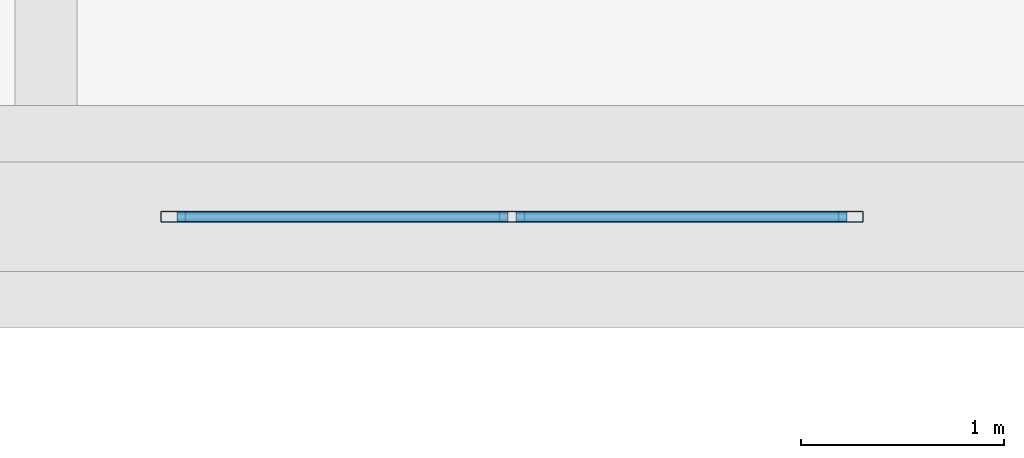
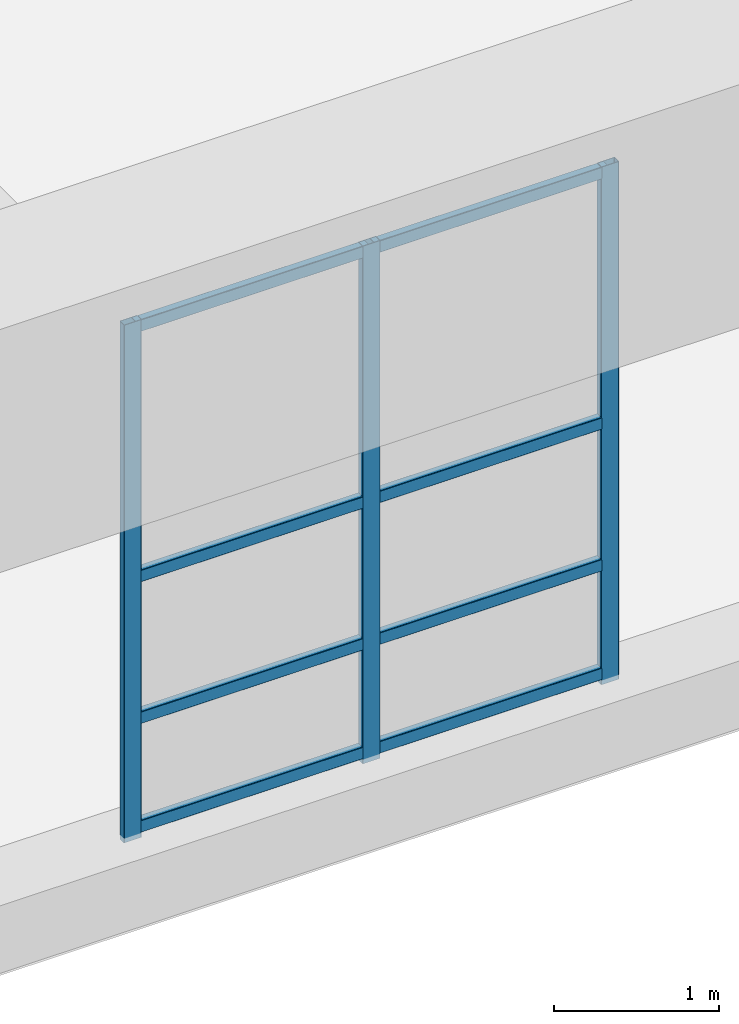
# One storey, part 32 of 197: 11 members, 1 element without a shape of its own.
"""IFC4 building model written with IfcOpenShell, lengths in metres."""

from ifc_helpers import new_model, si_unit, derived_unit, direction, frame, origin, origin_2d, place, context, subcontext, project, spatial, hollow_rectangle, extrude, material, layer, layer_set, material_profile, profile_set, type_object, element, aggregate, save


model = new_model("IFC4")

# Units and contexts
model_context = context("Model", 3, precision=1e-05, world=origin(), true_north=direction((0.0, 1.0)))
body_context = subcontext(model_context, "Body", "Model", "MODEL_VIEW")
ifc_project = project(units=[si_unit("LENGTHUNIT", "METRE"), si_unit("AREAUNIT", "SQUARE_METRE"), si_unit("VOLUMEUNIT", "CUBIC_METRE"), si_unit("PLANEANGLEUNIT", "RADIAN"), si_unit("MASSUNIT", "GRAM", prefix="KILO"), derived_unit("THERMALTRANSMITTANCEUNIT", [(si_unit("POWERUNIT", "WATT"), 1), (si_unit("LENGTHUNIT", "METRE"), -2), (si_unit("THERMODYNAMICTEMPERATUREUNIT", "KELVIN"), -1)])], contexts=[model_context])

# Site, building, storey
site_placement = place(None, origin())
site = spatial("IfcSite", under=ifc_project, at=site_placement, CompositionType="ELEMENT")
building_placement = place(site_placement, origin())
building = spatial("IfcBuilding", under=site, at=building_placement, Name="Almenara Railside Exhibition Hall", CompositionType="ELEMENT")
storey_placement = place(building_placement, frame((0.0, 0.0, 5.39990234375)))
storey = spatial("IfcBuildingStorey", under=building, at=storey_placement, Name="L01", CompositionType="ELEMENT", Elevation=5.39990234375)

# Curtain wall, members
ifc_material_1 = material(Name="Bronze-anodised aluminium and low-E double glazing", Category="aluminium")
ifc_layer = layer(ifc_material_1, 0.179931640625, Name="Bronze-anodised aluminium and low-E double glazing")
ifc_layer_set = layer_set([ifc_layer], Name="Bronze-anodised aluminium and low-E double glazing")
curtain_wall_type = type_object("IfcCurtainWallType", Name="Scroll Gable Mid Curtain Wall 3400x4400", PredefinedType="NOTDEFINED", material=ifc_layer_set)
curtain_wall_placement = place(storey_placement, origin())
curtain_wall = element("IfcCurtainWall", 1, at=curtain_wall_placement, inside=storey, type_object=curtain_wall_type, Name="Curtain wall CW-G3-027", PredefinedType="NOTDEFINED")
ifc_material_2 = material(Name="Bronze-anodised aluminium", Category="aluminium")
ifc_material_profile_1 = material_profile(ifc_material_2, hollow_rectangle(XDim=0.054931640625, YDim=0.125, WallThickness=0.0029296875, InnerFilletRadius=0.0029296875, OuterFilletRadius=0.006103515625, at=origin_2d()), Name="ALU-MUL 55x125x3")
ifc_profile_set_1 = profile_set([ifc_material_profile_1], Name="Bronze-anodised aluminium")
member_type_1 = type_object("IfcMemberType", Name="Curtain Wall Mullion 55x125x3", PredefinedType="MULLION", material=ifc_profile_set_1)
member_1_placement = place(storey_placement, frame((34.027587890625, 48.0, 0.465087890625), z_axis=(0.0, 0.0, 1.0), x_axis=(0.0, 1.0, 0.0)))
member_1 = element("IfcMember", 2, at=member_1_placement, type_object=member_type_1, Name="CW-G3-027 mullion 1", PredefinedType="MULLION", context=body_context, shape_type="SweptSolid", body=[
    extrude(hollow_rectangle(XDim=0.054931640625, YDim=0.125, WallThickness=0.0029296875, InnerFilletRadius=0.0029296875, OuterFilletRadius=0.006103515625, at=origin_2d()), origin(), (0.0, 0.0, 1.0), 3.8349609375),
])
member_2_placement = place(storey_placement, frame((35.699951171875, 48.0, 0.465087890625), z_axis=(0.0, 0.0, 1.0), x_axis=(0.0, 1.0, 0.0)))
member_2 = element("IfcMember", 3, at=member_2_placement, type_object=member_type_1, Name="CW-G3-027 mullion 2", PredefinedType="MULLION", context=body_context, shape_type="SweptSolid", body=[
    extrude(hollow_rectangle(XDim=0.054931640625, YDim=0.125, WallThickness=0.0029296875, InnerFilletRadius=0.0029296875, OuterFilletRadius=0.006103515625, at=origin_2d()), origin(), (0.0, 0.0, 1.0), 3.8349609375),
])
member_3_placement = place(storey_placement, frame((37.37255859375, 48.0, 0.465087890625), z_axis=(0.0, 0.0, 1.0), x_axis=(0.0, 1.0, 0.0)))
member_3 = element("IfcMember", 4, at=member_3_placement, type_object=member_type_1, Name="CW-G3-027 mullion 3", PredefinedType="MULLION", context=body_context, shape_type="SweptSolid", body=[
    extrude(hollow_rectangle(XDim=0.054931640625, YDim=0.125, WallThickness=0.0029296875, InnerFilletRadius=0.0029296875, OuterFilletRadius=0.006103515625, at=origin_2d()), origin(), (0.0, 0.0, 1.0), 3.8349609375),
])
ifc_material_profile_2 = material_profile(ifc_material_2, hollow_rectangle(XDim=0.054931640625, YDim=0.090087890625, WallThickness=0.0029296875, InnerFilletRadius=0.0029296875, OuterFilletRadius=0.006103515625, at=origin_2d()), Name="ALU-TRN 55x90x3")
ifc_profile_set_2 = profile_set([ifc_material_profile_2], Name="Bronze-anodised aluminium")
member_type_2 = type_object("IfcMemberType", Name="Curtain Wall Transom 55x90x3", PredefinedType="USERDEFINED", material=ifc_profile_set_2)
member_4_placement = place(storey_placement, frame((34.047119140625, 48.0, 0.545166015625), z_axis=(1.0, 0.0, 0.0), x_axis=(0.0, 1.0, 0.0)))
member_4 = element("IfcMember", 5, at=member_4_placement, type_object=member_type_2, Name="CW-G3-027 transom 1.1", ObjectType="TRANSOM", PredefinedType="USERDEFINED", context=body_context, shape_type="SweptSolid", body=[
    extrude(hollow_rectangle(XDim=0.054931640625, YDim=0.090087890625, WallThickness=0.0029296875, InnerFilletRadius=0.0029296875, OuterFilletRadius=0.006103515625, at=origin_2d()), origin(), (0.0, 0.0, 1.0), 1.63330078125),
])
member_5_placement = place(storey_placement, frame((34.047119140625, 48.0, 1.35009765625), z_axis=(1.0, 0.0, 0.0), x_axis=(0.0, 1.0, 0.0)))
member_5 = element("IfcMember", 6, at=member_5_placement, type_object=member_type_2, Name="CW-G3-027 transom 1.2", ObjectType="TRANSOM", PredefinedType="USERDEFINED", context=body_context, shape_type="SweptSolid", body=[
    extrude(hollow_rectangle(XDim=0.054931640625, YDim=0.090087890625, WallThickness=0.0029296875, InnerFilletRadius=0.0029296875, OuterFilletRadius=0.006103515625, at=origin_2d()), origin(), (0.0, 0.0, 1.0), 1.63330078125),
])
member_6_placement = place(storey_placement, frame((34.047119140625, 48.0, 2.400146484375), z_axis=(1.0, 0.0, 0.0), x_axis=(0.0, 1.0, 0.0)))
member_6 = element("IfcMember", 7, at=member_6_placement, type_object=member_type_2, Name="CW-G3-027 transom 1.3", ObjectType="TRANSOM", PredefinedType="USERDEFINED", context=body_context, shape_type="SweptSolid", body=[
    extrude(hollow_rectangle(XDim=0.054931640625, YDim=0.090087890625, WallThickness=0.0029296875, InnerFilletRadius=0.0029296875, OuterFilletRadius=0.006103515625, at=origin_2d()), origin(), (0.0, 0.0, 1.0), 1.63330078125),
])
member_7_placement = place(storey_placement, frame((34.047119140625, 48.0, 4.255126953125), z_axis=(1.0, 0.0, 0.0), x_axis=(0.0, 1.0, 0.0)))
member_7 = element("IfcMember", 8, at=member_7_placement, type_object=member_type_2, Name="CW-G3-027 transom 1.4", ObjectType="TRANSOM", PredefinedType="USERDEFINED", context=body_context, shape_type="SweptSolid", body=[
    extrude(hollow_rectangle(XDim=0.054931640625, YDim=0.090087890625, WallThickness=0.0029296875, InnerFilletRadius=0.0029296875, OuterFilletRadius=0.006103515625, at=origin_2d()), origin(), (0.0, 0.0, 1.0), 1.63330078125),
])
member_8_placement = place(storey_placement, frame((35.719482421875, 48.0, 0.545166015625), z_axis=(1.0, 0.0, 0.0), x_axis=(0.0, 1.0, 0.0)))
member_8 = element("IfcMember", 9, at=member_8_placement, type_object=member_type_2, Name="CW-G3-027 transom 2.1", ObjectType="TRANSOM", PredefinedType="USERDEFINED", context=body_context, shape_type="SweptSolid", body=[
    extrude(hollow_rectangle(XDim=0.054931640625, YDim=0.090087890625, WallThickness=0.0029296875, InnerFilletRadius=0.0029296875, OuterFilletRadius=0.006103515625, at=origin_2d()), origin(), (0.0, 0.0, 1.0), 1.633544921875),
])
member_9_placement = place(storey_placement, frame((35.719482421875, 48.0, 1.35009765625), z_axis=(1.0, 0.0, 0.0), x_axis=(0.0, 1.0, 0.0)))
member_9 = element("IfcMember", 10, at=member_9_placement, type_object=member_type_2, Name="CW-G3-027 transom 2.2", ObjectType="TRANSOM", PredefinedType="USERDEFINED", context=body_context, shape_type="SweptSolid", body=[
    extrude(hollow_rectangle(XDim=0.054931640625, YDim=0.090087890625, WallThickness=0.0029296875, InnerFilletRadius=0.0029296875, OuterFilletRadius=0.006103515625, at=origin_2d()), origin(), (0.0, 0.0, 1.0), 1.633544921875),
])
member_10_placement = place(storey_placement, frame((35.719482421875, 48.0, 2.400146484375), z_axis=(1.0, 0.0, 0.0), x_axis=(0.0, 1.0, 0.0)))
member_10 = element("IfcMember", 11, at=member_10_placement, type_object=member_type_2, Name="CW-G3-027 transom 2.3", ObjectType="TRANSOM", PredefinedType="USERDEFINED", context=body_context, shape_type="SweptSolid", body=[
    extrude(hollow_rectangle(XDim=0.054931640625, YDim=0.090087890625, WallThickness=0.0029296875, InnerFilletRadius=0.0029296875, OuterFilletRadius=0.006103515625, at=origin_2d()), origin(), (0.0, 0.0, 1.0), 1.633544921875),
])
member_11_placement = place(storey_placement, frame((35.719482421875, 48.0, 4.255126953125), z_axis=(1.0, 0.0, 0.0), x_axis=(0.0, 1.0, 0.0)))
member_11 = element("IfcMember", 12, at=member_11_placement, type_object=member_type_2, Name="CW-G3-027 transom 2.4", ObjectType="TRANSOM", PredefinedType="USERDEFINED", context=body_context, shape_type="SweptSolid", body=[
    extrude(hollow_rectangle(XDim=0.054931640625, YDim=0.090087890625, WallThickness=0.0029296875, InnerFilletRadius=0.0029296875, OuterFilletRadius=0.006103515625, at=origin_2d()), origin(), (0.0, 0.0, 1.0), 1.633544921875),
])
aggregate(curtain_wall, [member_1, member_2, member_3, member_4, member_5, member_6, member_7, member_8, member_9, member_10, member_11])

save(model, "model.ifc")
